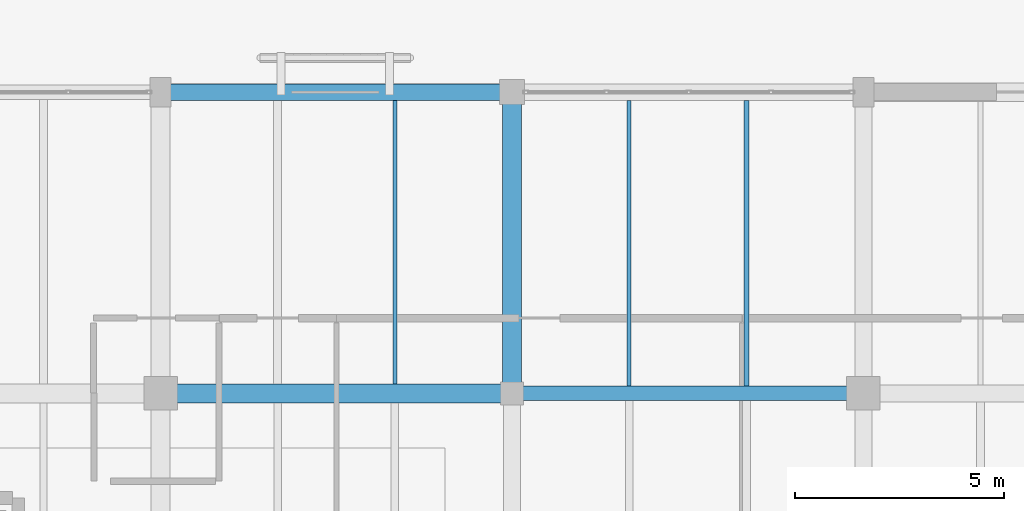
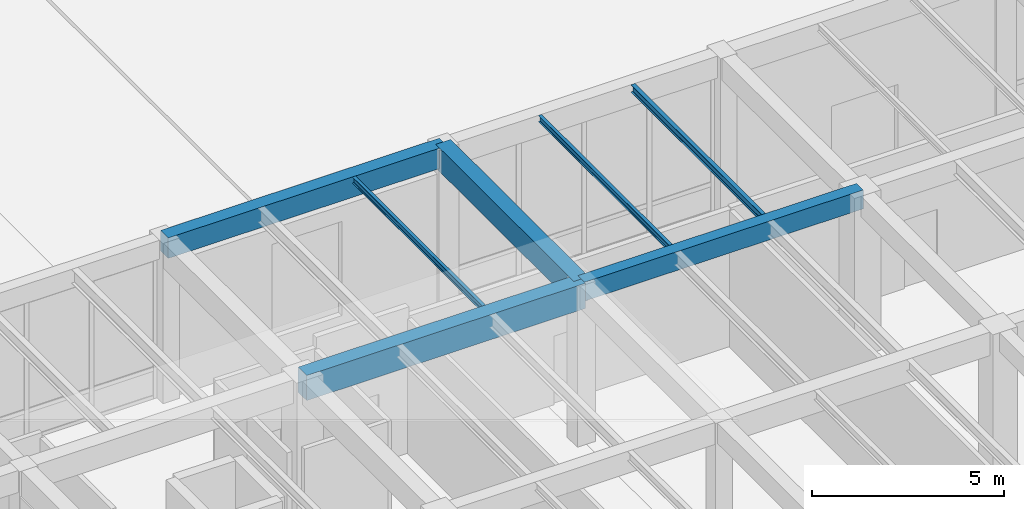
# One storey, part 50 of 169: 7 beams.
"""IFC4 building model written with IfcOpenShell, lengths in metres."""

from ifc_helpers import new_model, si_unit, direction, frame, origin, origin_2d, place, context, subcontext, project, spatial, rectangle, i_section, extrude, material, material_profile, profile_set, type_object, element, save


model = new_model("IFC4")

# Units and contexts
model_context = context("Model", 3, precision=1e-05, world=origin(), true_north=direction((0.0, 1.0)))
body_context = subcontext(model_context, "Body", "Model", "MODEL_VIEW")
ifc_project = project(units=[si_unit("LENGTHUNIT", "METRE"), si_unit("AREAUNIT", "SQUARE_METRE"), si_unit("VOLUMEUNIT", "CUBIC_METRE"), si_unit("PLANEANGLEUNIT", "RADIAN"), si_unit("MASSUNIT", "GRAM", prefix="KILO")], contexts=[model_context])

# Site, building, storey
site_placement = place(None, origin())
site = spatial("IfcSite", under=ifc_project, at=site_placement, CompositionType="ELEMENT")
building_placement = place(site_placement, origin())
building = spatial("IfcBuilding", under=site, at=building_placement, Name="Mazaris Harbour Polytechnic", CompositionType="ELEMENT")
storey_placement = place(building_placement, origin())
storey = spatial("IfcBuildingStorey", under=building, at=storey_placement, Name="L00", CompositionType="ELEMENT", Elevation=0.0)

# Beams
ifc_material_1 = material(Name="Concrete C35/45", Category="concrete")
ifc_material_profile_1 = material_profile(ifc_material_1, rectangle(XDim=0.35009765625, YDim=0.60009765625, at=origin_2d()), Name="RECT350x600")
ifc_profile_set_1 = profile_set([ifc_material_profile_1], Name="Concrete C35/45")
beam_type_1 = type_object("IfcBeamType", Name="RC Girder 350x600", PredefinedType="BEAM", material=ifc_profile_set_1)
beam_1_placement = place(storey_placement, frame((87.60009765625, 28.800048828125, 4.800048828125), z_axis=(1.0, 0.0, 0.0), x_axis=(0.0, 1.0, 0.0)))
element("IfcBeam", 1, at=beam_1_placement, inside=storey, type_object=beam_type_1, Name="V3 L00 Girder 880", PredefinedType="BEAM", context=body_context, shape_type="SweptSolid", body=[
    extrude(rectangle(XDim=0.35009765625, YDim=0.60009765625, at=origin_2d()), origin(), (0.0, 0.0, 1.0), 8.39990234375),
])
ifc_material_2 = material(Name="Concrete C35/45", Category="concrete")
ifc_material_profile_2 = material_profile(ifc_material_2, rectangle(XDim=0.39990234375, YDim=0.64990234375, at=origin_2d()), Name="RECT400x650")
ifc_profile_set_2 = profile_set([ifc_material_profile_2], Name="Concrete C35/45")
beam_type_2 = type_object("IfcBeamType", Name="RC Girder 400x650 Exterior", PredefinedType="BEAM", material=ifc_profile_set_2)
beam_2_placement = place(storey_placement, frame((79.199951171875, 36.0, 4.77490234375), z_axis=(1.0, 0.0, 0.0), x_axis=(0.0, 1.0, 0.0)))
element("IfcBeam", 2, at=beam_2_placement, inside=storey, type_object=beam_type_2, Name="V3 L00 Girder 886", PredefinedType="BEAM", context=body_context, shape_type="SweptSolid", body=[
    extrude(rectangle(XDim=0.39990234375, YDim=0.64990234375, at=origin_2d()), origin(), (0.0, 0.0, 1.0), 8.400146484375),
])
ifc_material_3 = material(Name="Concrete C40/50", Category="concrete")
ifc_material_profile_3 = material_profile(ifc_material_3, rectangle(XDim=0.449951171875, YDim=0.75, at=origin_2d()), Name="RECT450x750")
ifc_profile_set_3 = profile_set([ifc_material_profile_3], Name="Concrete C40/50")
beam_type_3 = type_object("IfcBeamType", Name="RC Girder 450x750", PredefinedType="BEAM", material=ifc_profile_set_3)
beam_3_placement = place(storey_placement, frame((87.60009765625, 28.800048828125, 4.72509765625), z_axis=(0.0, 1.0, 0.0), x_axis=(-1.0, 0.0, 0.0)))
element("IfcBeam", 3, at=beam_3_placement, inside=storey, type_object=beam_type_3, Name="V3 L00 Tie Girder 908", PredefinedType="BEAM", context=body_context, shape_type="SweptSolid", body=[
    extrude(rectangle(XDim=0.449951171875, YDim=0.75, at=origin_2d()), origin(), (0.0, 0.0, 1.0), 7.199951171875),
])
ifc_material_4 = material(Name="Concrete C40/50", Category="concrete")
ifc_material_profile_4 = material_profile(ifc_material_4, rectangle(XDim=0.449951171875, YDim=0.800048828125, at=origin_2d()), Name="RECT450x800")
ifc_profile_set_4 = profile_set([ifc_material_profile_4], Name="Concrete C40/50")
beam_type_4 = type_object("IfcBeamType", Name="RC Girder 450x800", PredefinedType="BEAM", material=ifc_profile_set_4)
beam_4_placement = place(storey_placement, frame((79.199951171875, 28.800048828125, 4.699951171875), z_axis=(1.0, 0.0, 0.0), x_axis=(0.0, 1.0, 0.0)))
element("IfcBeam", 4, at=beam_4_placement, inside=storey, type_object=beam_type_4, Name="V3 L00 Girder 879", PredefinedType="BEAM", context=body_context, shape_type="SweptSolid", body=[
    extrude(rectangle(XDim=0.449951171875, YDim=0.800048828125, at=origin_2d()), origin(), (0.0, 0.0, 1.0), 8.400146484375),
])
ifc_material_5 = material(Name="Steel S355", Category="steel")
ifc_material_profile_5 = material_profile(ifc_material_5, i_section(OverallWidth=0.10009765625, OverallDepth=0.199951171875, WebThickness=0.005615234375, FlangeThickness=0.008544921875, FilletRadius=0.011962890625, at=origin_2d()), Name="IPE 200")
ifc_profile_set_5 = profile_set([ifc_material_profile_5], Name="Steel S355")
beam_type_5 = type_object("IfcBeamType", Name="Steel Joist IPE200", PredefinedType="JOIST", material=ifc_profile_set_5)
beam_5_placement = place(storey_placement, frame((84.800048828125, 29.02490234375, 5.0), z_axis=(0.0, 1.0, 0.0), x_axis=(-1.0, 0.0, 0.0)))
element("IfcBeam", 5, at=beam_5_placement, inside=storey, type_object=beam_type_5, Name="V3 L00 Floor Joist 945", PredefinedType="JOIST", context=body_context, shape_type="SweptSolid", body=[
    extrude(i_section(OverallWidth=0.10009765625, OverallDepth=0.199951171875, WebThickness=0.005615234375, FlangeThickness=0.008544921875, FilletRadius=0.011962890625, at=origin_2d()), origin(), (0.0, 0.0, 1.0), 6.775146484375),
])
beam_6_placement = place(storey_placement, frame((90.39990234375, 28.97509765625, 5.0), z_axis=(0.0, 1.0, 0.0), x_axis=(-1.0, 0.0, 0.0)))
element("IfcBeam", 6, at=beam_6_placement, inside=storey, type_object=beam_type_5, Name="V3 L00 Floor Joist 952", PredefinedType="JOIST", context=body_context, shape_type="SweptSolid", body=[
    extrude(i_section(OverallWidth=0.10009765625, OverallDepth=0.199951171875, WebThickness=0.005615234375, FlangeThickness=0.008544921875, FilletRadius=0.011962890625, at=origin_2d()), origin(), (0.0, 0.0, 1.0), 6.824951171875),
])
ifc_material_6 = material(Name="Steel S355", Category="steel")
ifc_material_profile_6 = material_profile(ifc_material_6, i_section(OverallWidth=0.1201171875, OverallDepth=0.239990234375, WebThickness=0.006103515625, FlangeThickness=0.009765625, FilletRadius=0.014892578125, at=origin_2d()), Name="IPE 240")
ifc_profile_set_6 = profile_set([ifc_material_profile_6], Name="Steel S355")
beam_type_6 = type_object("IfcBeamType", Name="Steel Joist IPE240", PredefinedType="JOIST", material=ifc_profile_set_6)
beam_7_placement = place(storey_placement, frame((93.199951171875, 28.97509765625, 4.97998046875), z_axis=(0.0, 1.0, 0.0), x_axis=(-1.0, 0.0, 0.0)))
element("IfcBeam", 7, at=beam_7_placement, inside=storey, type_object=beam_type_6, Name="V3 L00 Floor Joist 953", PredefinedType="JOIST", context=body_context, shape_type="SweptSolid", body=[
    extrude(i_section(OverallWidth=0.1201171875, OverallDepth=0.239990234375, WebThickness=0.006103515625, FlangeThickness=0.009765625, FilletRadius=0.014892578125, at=origin_2d()), origin(), (0.0, 0.0, 1.0), 6.824951171875),
])

save(model, "model.ifc")
